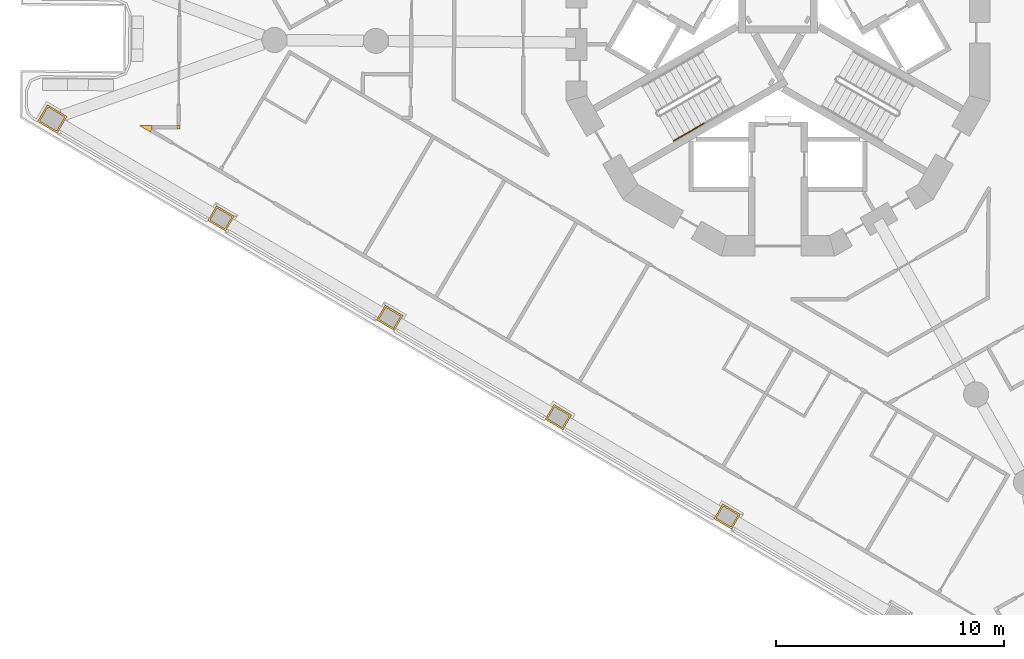
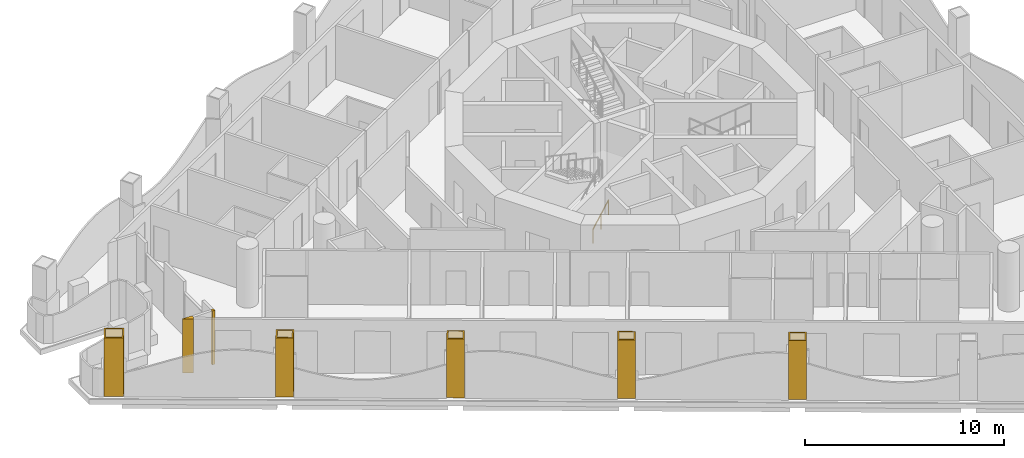
# One storey, part 11 of 17: 7 coverings, 1 railing.
"""IFC4 building model written with IfcOpenShell, lengths in metres."""

from ifc_helpers import new_model, si_unit, direction, frame, origin, origin_2d, place, context, subcontext, project, spatial, polyline, circle, outline, extrude, material, layer, layer_set, type_object, element, save


model = new_model("IFC4")

# Units and contexts
model_context = context("Model", 3, precision=1e-05, world=origin(), true_north=direction((0.0, 1.0)))
body_context = subcontext(model_context, "Body", "Model", "MODEL_VIEW")
ifc_project = project(units=[si_unit("LENGTHUNIT", "METRE"), si_unit("AREAUNIT", "SQUARE_METRE"), si_unit("VOLUMEUNIT", "CUBIC_METRE"), si_unit("PLANEANGLEUNIT", "RADIAN"), si_unit("MASSUNIT", "GRAM", prefix="KILO")], contexts=[model_context])

# Site, building, storey
site_placement = place(None, origin())
site = spatial("IfcSite", under=ifc_project, at=site_placement, CompositionType="ELEMENT")
building_placement = place(site_placement, origin())
building = spatial("IfcBuilding", under=site, at=building_placement, Name="Trine Commons Tower", CompositionType="ELEMENT")
storey_placement = place(building_placement, frame((0.0, 0.0, 186.300048828125)))
storey = spatial("IfcBuildingStorey", under=building, at=storey_placement, Name="L48", CompositionType="ELEMENT", Elevation=186.300048828125)

# Coverings
ifc_material_1 = material(Name="Aluminium-framed insulated wall panel", Category="aluminium")
ifc_layer_1 = layer(ifc_material_1, 0.14990234375)
ifc_layer_set_1 = layer_set([ifc_layer_1], Name="Aluminium-framed insulated wall panel")
covering_type_1 = type_object("IfcCoveringType", Name="Glazing corner post, aluminium", PredefinedType="CLADDING", material=ifc_layer_set_1)
covering_1_placement = place(storey_placement, origin())
element("IfcCovering", 1, at=covering_1_placement, inside=storey, type_object=covering_type_1, Name="Glazing corner post 5-01", PredefinedType="CLADDING", context=body_context, shape_type="SweptSolid", body=[
    extrude(outline(polyline([(52.519775390625, 58.669921875), (52.595947265625, 58.799072265625), (52.59716796875, 58.948974609375), (52.037353515625, 58.953857421875), (52.519775390625, 58.669921875)])), origin(), (0.0, 0.0, 1.0), 3.300048828125),
])
covering_2_placement = place(storey_placement, origin())
element("IfcCovering", 2, at=covering_2_placement, inside=storey, type_object=covering_type_1, Name="Glazing corner post 5-02", PredefinedType="CLADDING", context=body_context, shape_type="SweptSolid", body=[
    extrude(outline(polyline([(53.681640625, 58.78955078125), (53.83154296875, 58.7880859375), (53.8330078125, 58.938232421875), (53.682861328125, 58.939453125), (53.681640625, 58.78955078125)])), origin(), (0.0, 0.0, 1.0), 3.300048828125),
])
ifc_material_2 = material(Name="Limestone, honed", Category="masonry")
ifc_layer_2 = layer(ifc_material_2, 0.074951171875)
ifc_layer_set_2 = layer_set([ifc_layer_2], Name="Limestone, honed")
covering_type_2 = type_object("IfcCoveringType", Name="Limestone column cladding 75", PredefinedType="CLADDING", material=ifc_layer_set_2)
covering_3_placement = place(storey_placement, origin())
element("IfcCovering", 3, at=covering_3_placement, inside=storey, type_object=covering_type_2, Name="Limestone pier cladding 5-03", PredefinedType="CLADDING", context=body_context, shape_type="SweptSolid", body=[
    extrude(outline(polyline([(77.57568359375, 42.384521484375), (77.195068359375, 41.73828125), (77.970703125, 41.281494140625), (78.351318359375, 41.927734375), (77.57568359375, 42.384521484375)]), holes=[polyline([(77.602294921875, 42.28173828125), (77.2978515625, 41.764892578125), (77.944091796875, 41.38427734375), (78.24853515625, 41.901123046875), (77.602294921875, 42.28173828125)])]), origin(), (0.0, 0.0, 1.0), 3.599853515625),
])
covering_4_placement = place(storey_placement, origin())
element("IfcCovering", 4, at=covering_4_placement, inside=storey, type_object=covering_type_2, Name="Limestone pier cladding 5-04", PredefinedType="CLADDING", context=body_context, shape_type="SweptSolid", body=[
    extrude(outline(polyline([(70.191162109375, 46.734375), (69.810302734375, 46.088134765625), (70.5859375, 45.63134765625), (70.966552734375, 46.277587890625), (70.191162109375, 46.734375)]), holes=[polyline([(70.2177734375, 46.631591796875), (69.9130859375, 46.11474609375), (70.559326171875, 45.734130859375), (70.864013671875, 46.251220703125), (70.2177734375, 46.631591796875)])]), origin(), (0.0, 0.0, 1.0), 3.599853515625),
])
covering_5_placement = place(storey_placement, origin())
element("IfcCovering", 5, at=covering_5_placement, inside=storey, type_object=covering_type_2, Name="Limestone pier cladding 5-05", PredefinedType="CLADDING", context=body_context, shape_type="SweptSolid", body=[
    extrude(outline(polyline([(62.806396484375, 51.084228515625), (62.42578125, 50.43798828125), (63.201171875, 49.981201171875), (63.581787109375, 50.62744140625), (62.806396484375, 51.084228515625)]), holes=[polyline([(62.8330078125, 50.981689453125), (62.5283203125, 50.464599609375), (63.174560546875, 50.083984375), (63.479248046875, 50.60107421875), (62.8330078125, 50.981689453125)])]), origin(), (0.0, 0.0, 1.0), 3.599853515625),
])
covering_6_placement = place(storey_placement, origin())
element("IfcCovering", 6, at=covering_6_placement, inside=storey, type_object=covering_type_2, Name="Limestone pier cladding 5-06", PredefinedType="CLADDING", context=body_context, shape_type="SweptSolid", body=[
    extrude(outline(polyline([(55.421630859375, 55.43408203125), (55.041015625, 54.7880859375), (55.81640625, 54.331298828125), (56.197265625, 54.977294921875), (55.421630859375, 55.43408203125)]), holes=[polyline([(55.4482421875, 55.33154296875), (55.143798828125, 54.814453125), (55.789794921875, 54.433837890625), (56.094482421875, 54.950927734375), (55.4482421875, 55.33154296875)])]), origin(), (0.0, 0.0, 1.0), 3.599853515625),
])
covering_7_placement = place(storey_placement, origin())
element("IfcCovering", 7, at=covering_7_placement, inside=storey, type_object=covering_type_2, Name="Limestone pier cladding 5-07", PredefinedType="CLADDING", context=body_context, shape_type="SweptSolid", body=[
    extrude(outline(polyline([(48.019287109375, 59.8525390625), (47.587890625, 59.1201171875), (48.449462890625, 58.612548828125), (48.880859375, 59.344970703125), (48.019287109375, 59.8525390625)]), holes=[polyline([(48.0458984375, 59.75), (47.690673828125, 59.146728515625), (48.423095703125, 58.71533203125), (48.7783203125, 59.318603515625), (48.0458984375, 59.75)])]), origin(), (0.0, 0.0, 1.0), 3.599853515625),
])

# Railing
ifc_material_3 = material(Name="Stainless steel handrail", Category="steel")
railing_type = type_object("IfcRailingType", Name="Stair handrail, steel 900", PredefinedType="HANDRAIL", material=ifc_material_3)
railing_placement = place(storey_placement, frame((75.43017578125, 58.27392578125, 0.14990234375)))
element("IfcRailing", 8, at=railing_placement, inside=storey, type_object=railing_type, Name="L48 ST2B stair handrail 1", PredefinedType="HANDRAIL", context=body_context, shape_type="SweptSolid", body=[
    extrude(circle(Radius=0.02099609375, at=origin_2d()), frame((0.0, 0.0, 0.87890625), z_axis=(0.76340495495, 0.440743040072, 0.472184759798), x_axis=(-0.499992328818, 0.866029832698, 0.0)), (0.0, 0.0, 1.0), 1.7470703125),
    extrude(circle(Radius=0.01513671875, at=origin_2d()), origin(), (0.0, 0.0, 1.0), 0.85791015625),
    extrude(circle(Radius=0.01513671875, at=origin_2d()), frame((0.6669921875, 0.385009765625, 0.41259765625)), (0.0, 0.0, 1.0), 0.85791015625),
    extrude(circle(Radius=0.01513671875, at=origin_2d()), frame((1.333740234375, 0.77001953125, 0.824951171875)), (0.0, 0.0, 1.0), 0.85791015625),
])

save(model, "model.ifc")
